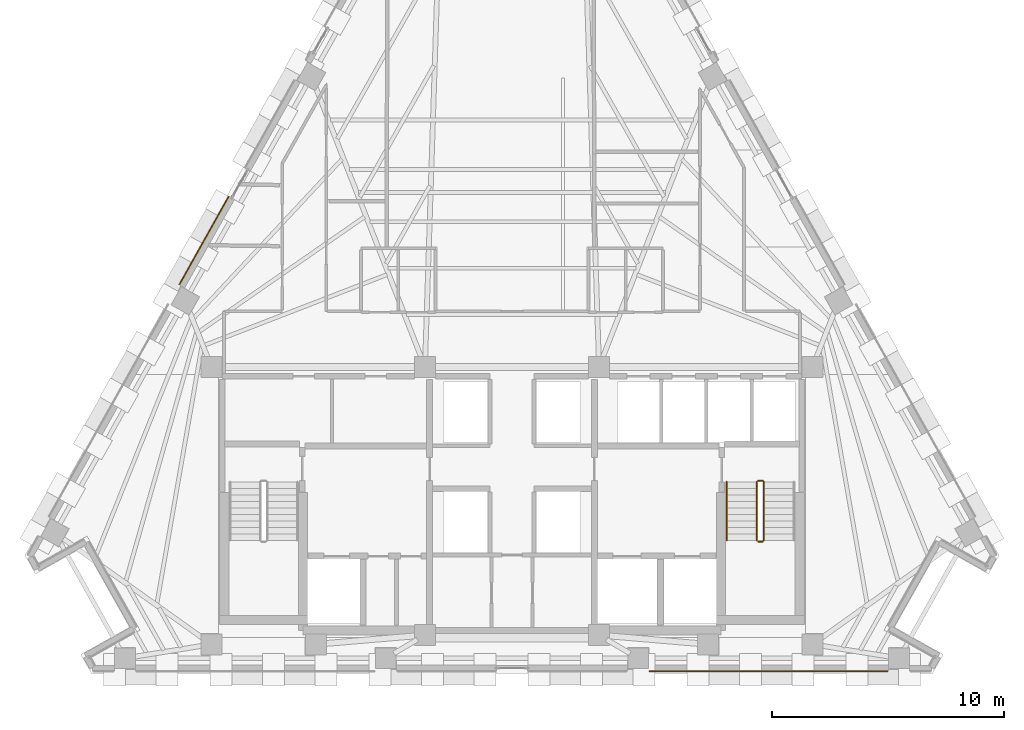
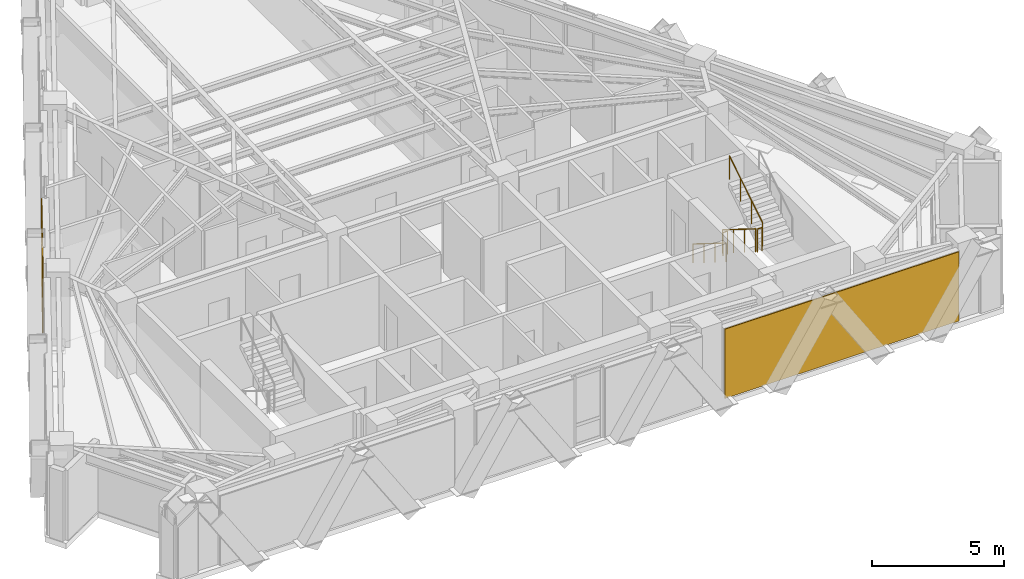
# One storey, part 11 of 12: 5 railings, 2 coverings.
"""IFC4 building model written with IfcOpenShell, lengths in metres."""

from ifc_helpers import new_model, si_unit, direction, frame, origin, origin_2d, place, context, subcontext, project, spatial, polyline, circle, outline, extrude, material, layer, layer_set, type_object, element, save


model = new_model("IFC4")

# Units and contexts
model_context = context("Model", 3, precision=1e-05, world=origin(), true_north=direction((0.0, 1.0)))
body_context = subcontext(model_context, "Body", "Model", "MODEL_VIEW")
ifc_project = project(units=[si_unit("LENGTHUNIT", "METRE"), si_unit("AREAUNIT", "SQUARE_METRE"), si_unit("VOLUMEUNIT", "CUBIC_METRE"), si_unit("PLANEANGLEUNIT", "RADIAN"), si_unit("MASSUNIT", "GRAM", prefix="KILO")], contexts=[model_context])

# Site, building, storey
site_placement = place(None, origin())
site = spatial("IfcSite", under=ifc_project, at=site_placement, CompositionType="ELEMENT")
building_placement = place(site_placement, origin())
building = spatial("IfcBuilding", under=site, at=building_placement, Name="Quenlor Broadcast Tower", CompositionType="ELEMENT")
storey_placement = place(building_placement, frame((0.0, 0.0, 186.89990234375)))
storey = spatial("IfcBuildingStorey", under=building, at=storey_placement, Name="L51", CompositionType="ELEMENT", Elevation=186.89990234375)

# Coverings
ifc_material_1 = material(Name="Architectural Terracotta Ceramic", Category="masonry")
ifc_layer = layer(ifc_material_1, 0.044921875)
ifc_layer_set = layer_set([ifc_layer], Name="Fluted Terracotta Rainscreen Cladding Panel")
covering_type = type_object("IfcCoveringType", Name="Fluted Terracotta Rainscreen Cladding Panel", PredefinedType="CLADDING", material=ifc_layer_set)
covering_1_placement = place(storey_placement, frame((0.0, 0.0, 0.02001953125)))
element("IfcCovering", 1, at=covering_1_placement, inside=storey, type_object=covering_type, Name="L51 Terracotta Rainscreen Cladding L51-EW-SA", PredefinedType="CLADDING", context=body_context, shape_type="SweptSolid", body=[
    extrude(outline(polyline([(16.19091796875, -17.89697265625), (5.9228515625, -17.89697265625), (5.9228515625, -17.94189453125), (16.19091796875, -17.94189453125), (16.19091796875, -17.89697265625)])), origin(), (0.0, 0.0, 1.0), 3.2099609375),
])
covering_2_placement = place(storey_placement, frame((0.0, 0.0, 0.02001953125)))
element("IfcCovering", 2, at=covering_2_placement, inside=storey, type_object=covering_type, Name="L51 Terracotta Rainscreen Cladding L51-NW-SP1", PredefinedType="CLADDING", context=body_context, shape_type="SweptSolid", body=[
    extrude(outline(polyline([(-14.30908203125, -1.248291015625), (-12.187255859375, 2.523681640625), (-12.2265625, 2.5458984375), (-14.34814453125, -1.226318359375), (-14.30908203125, -1.248291015625)])), origin(), (0.0, 0.0, 1.0), 3.2099609375),
])

# Railings
ifc_material_2 = material(Name="Anodised Aluminium", Category="aluminium")
railing_type_1 = type_object("IfcRailingType", Name="Stainless Aluminium Wall Handrail 900", PredefinedType="HANDRAIL", material=ifc_material_2)
railing_1_placement = place(storey_placement, frame((9.25, -9.75, 0.175048828125)))
element("IfcRailing", 3, at=railing_1_placement, inside=storey, type_object=railing_type_1, Name="L51 ST-2 stair handrail 1", PredefinedType="HANDRAIL", context=body_context, shape_type="SweptSolid", body=[
    extrude(circle(Radius=0.02392578125, at=origin_2d()), frame((0.0, 0.0, 0.8759765625), z_axis=(0.0, -0.848007534815, 0.529984170421), x_axis=(1.0, 0.0, 0.0)), (0.0, 0.0, 1.0), 2.9716796875),
    extrude(circle(Radius=0.02099609375, at=origin_2d()), origin(), (0.0, 0.0, 1.0), 0.851806640625),
    extrude(circle(Radius=0.02099609375, at=origin_2d()), frame((0.0, -0.840087890625, 0.52490234375)), (0.0, 0.0, 1.0), 0.851806640625),
    extrude(circle(Radius=0.02099609375, at=origin_2d()), frame((0.0, -1.679931640625, 1.050048828125)), (0.0, 0.0, 1.0), 0.851806640625),
    extrude(circle(Radius=0.02099609375, at=origin_2d()), frame((0.0, -2.52001953125, 1.574951171875)), (0.0, 0.0, 1.0), 0.851806640625),
])
ifc_material_3 = material(Name="Steel S355", Category="steel")
railing_type_2 = type_object("IfcRailingType", Name="Tubular Steel S355 Stair Guardrail 1100", PredefinedType="BALUSTRADE", material=ifc_material_3)
railing_2_placement = place(storey_placement, frame((10.550048828125, -9.75, 0.175048828125)))
element("IfcRailing", 4, at=railing_2_placement, inside=storey, type_object=railing_type_2, Name="L51 ST-2 stair guard 1", PredefinedType="BALUSTRADE", context=body_context, shape_type="SweptSolid", body=[
    extrude(circle(Radius=0.02392578125, at=origin_2d()), frame((0.0, 0.0, 1.076171875), z_axis=(0.0, -0.848007534815, 0.529984170421), x_axis=(1.0, 0.0, 0.0)), (0.0, 0.0, 1.0), 2.9716796875),
    extrude(circle(Radius=0.02099609375, at=origin_2d()), origin(), (0.0, 0.0, 1.0), 1.052001953125),
    extrude(circle(Radius=0.02099609375, at=origin_2d()), frame((0.0, -0.840087890625, 0.52490234375)), (0.0, 0.0, 1.0), 1.052001953125),
    extrude(circle(Radius=0.02099609375, at=origin_2d()), frame((0.0, -1.679931640625, 1.050048828125)), (0.0, 0.0, 1.0), 1.052001953125),
    extrude(circle(Radius=0.02099609375, at=origin_2d()), frame((0.0, -2.52001953125, 1.574951171875)), (0.0, 0.0, 1.0), 1.052001953125),
])
railing_3_placement = place(storey_placement, frame((10.60009765625, -12.320068359375, 1.75)))
element("IfcRailing", 5, at=railing_3_placement, inside=storey, type_object=railing_type_2, Name="L51 ST-2 stair guard 2", PredefinedType="BALUSTRADE", context=body_context, shape_type="SweptSolid", body=[
    extrude(circle(Radius=0.02392578125, at=origin_2d()), frame((0.0, 0.0, 1.076171875), z_axis=(1.0, 0.0, 0.0), x_axis=(0.0, 1.0, 0.0)), (0.0, 0.0, 1.0), 0.199951171875),
    extrude(circle(Radius=0.02099609375, at=origin_2d()), origin(), (0.0, 0.0, 1.0), 1.052001953125),
    extrude(circle(Radius=0.02099609375, at=origin_2d()), frame((0.199951171875, 0.0, 0.0)), (0.0, 0.0, 1.0), 1.052001953125),
])
railing_4_placement = place(storey_placement, frame((10.85009765625, -12.27001953125, 1.925048828125)))
element("IfcRailing", 6, at=railing_4_placement, inside=storey, type_object=railing_type_2, Name="L51 ST-2 stair guard 3", PredefinedType="BALUSTRADE", context=body_context, shape_type="SweptSolid", body=[
    extrude(circle(Radius=0.02392578125, at=origin_2d()), frame((0.0, 0.0, 1.076171875), z_axis=(0.0, 0.848007534815, 0.529984170421), x_axis=(-1.0, 0.0, 0.0)), (0.0, 0.0, 1.0), 2.9716796875),
    extrude(circle(Radius=0.02099609375, at=origin_2d()), origin(), (0.0, 0.0, 1.0), 1.052001953125),
    extrude(circle(Radius=0.02099609375, at=origin_2d()), frame((0.0, 0.840087890625, 0.52490234375)), (0.0, 0.0, 1.0), 1.052001953125),
    extrude(circle(Radius=0.02099609375, at=origin_2d()), frame((0.0, 1.679931640625, 1.050048828125)), (0.0, 0.0, 1.0), 1.052001953125),
    extrude(circle(Radius=0.02099609375, at=origin_2d()), frame((0.0, 2.52001953125, 1.574951171875)), (0.0, 0.0, 1.0), 1.052001953125),
])
railing_5_placement = place(storey_placement, frame((10.60009765625, -9.699951171875, 0.0)))
element("IfcRailing", 7, at=railing_5_placement, inside=storey, type_object=railing_type_2, Name="L51 ST-2 stair guard 4", PredefinedType="BALUSTRADE", context=body_context, shape_type="SweptSolid", body=[
    extrude(circle(Radius=0.02392578125, at=origin_2d()), frame((0.0, 0.0, 1.076171875), z_axis=(1.0, 0.0, 0.0), x_axis=(0.0, 1.0, 0.0)), (0.0, 0.0, 1.0), 0.199951171875),
    extrude(circle(Radius=0.02099609375, at=origin_2d()), origin(), (0.0, 0.0, 1.0), 1.052001953125),
    extrude(circle(Radius=0.02099609375, at=origin_2d()), frame((0.199951171875, 0.0, 0.0)), (0.0, 0.0, 1.0), 1.052001953125),
])

save(model, "model.ifc")
